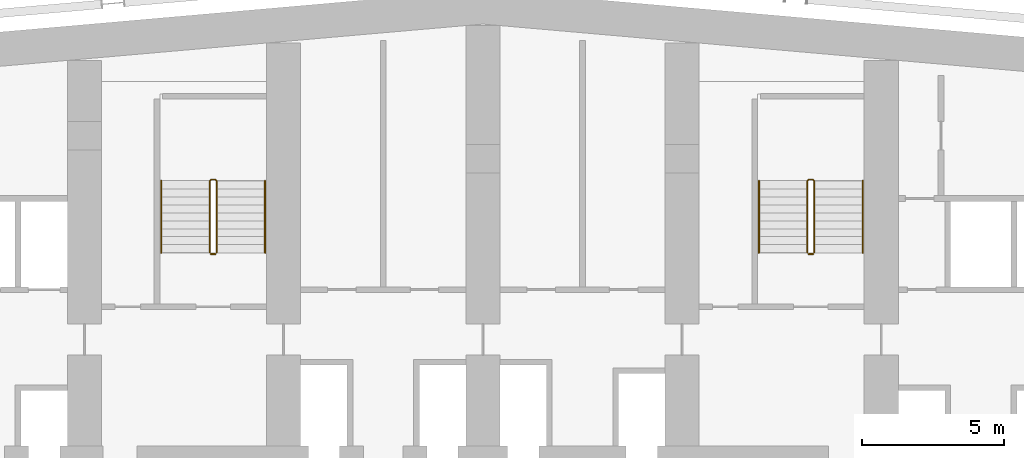
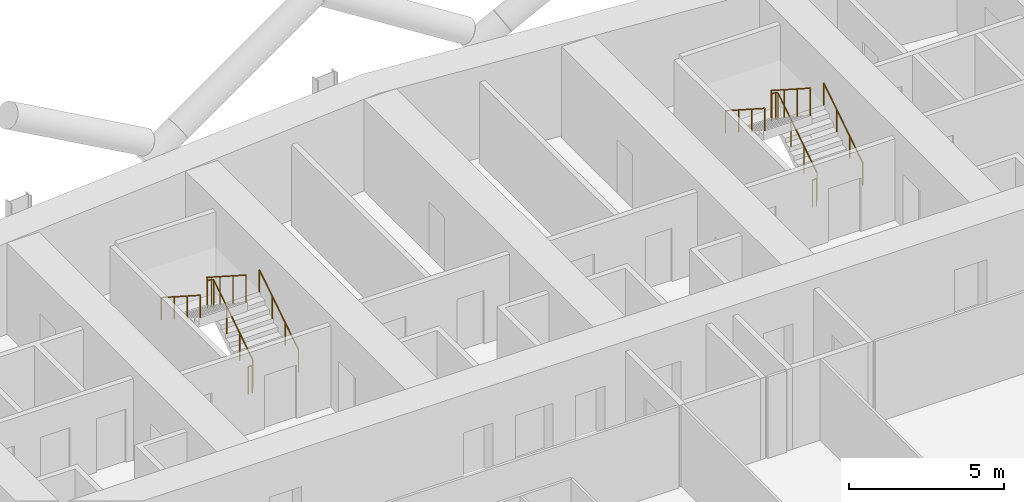
# One storey, part 26 of 27: 8 railings.
"""IFC4 building model written with IfcOpenShell, lengths in metres."""

from ifc_helpers import new_model, si_unit, direction, frame, origin, origin_2d, place, context, subcontext, project, spatial, circle, extrude, material, type_object, element, save


model = new_model("IFC4")

# Units and contexts
model_context = context("Model", 3, precision=1e-05, world=origin(), true_north=direction((0.0, 1.0)))
body_context = subcontext(model_context, "Body", "Model", "MODEL_VIEW")
ifc_project = project(units=[si_unit("LENGTHUNIT", "METRE"), si_unit("AREAUNIT", "SQUARE_METRE"), si_unit("VOLUMEUNIT", "CUBIC_METRE"), si_unit("PLANEANGLEUNIT", "RADIAN"), si_unit("MASSUNIT", "GRAM", prefix="KILO")], contexts=[model_context])

# Site, building, storey
site_placement = place(None, origin())
site = spatial("IfcSite", under=ifc_project, at=site_placement, CompositionType="ELEMENT")
building_placement = place(site_placement, origin())
building = spatial("IfcBuilding", under=site, at=building_placement, Name="Wharfspan Tower", CompositionType="ELEMENT")
storey_placement = place(building_placement, frame((0.0, 0.0, 48.699951)))
storey = spatial("IfcBuildingStorey", under=building, at=storey_placement, Name="L08", CompositionType="ELEMENT", Elevation=48.699951)

# Railings
ifc_material = material(Name="Steel S355J2", Category="steel")
railing_type_1 = type_object("IfcRailingType", Name="Stair guard 1100", PredefinedType="GUARDRAIL", material=ifc_material)
railing_1_placement = place(storey_placement, frame((27.649902, 42.0, 0.179932)))
element("IfcRailing", 1, at=railing_1_placement, inside=storey, type_object=railing_type_1, Name="L08 ST1 stair guard 1", PredefinedType="GUARDRAIL", context=body_context, shape_type="SweptSolid", body=[
    extrude(circle(Radius=0.023926, at=origin_2d()), frame((0.0, 0.0, 1.076172), z_axis=(0.0, 0.841163, 0.540782), x_axis=(-1.0, 0.0, 0.0)), (0.0, 0.0, 1.0), 2.99585),
    extrude(circle(Radius=0.023926, at=origin_2d()), frame((0.0, 2.52002, 2.696289), z_axis=(-0.705376, 0.708834, 0.0), x_axis=(-0.708834, -0.705376, 0.0)), (0.0, 0.0, 1.0), 0.070557),
    extrude(circle(Radius=0.023926, at=origin_2d()), frame((-0.049805, 2.570068, 2.696289), z_axis=(-1.0, 0.0, 0.0), x_axis=(0.0, -1.0, 0.0)), (0.0, 0.0, 1.0), 0.150146),
    extrude(circle(Radius=0.023926, at=origin_2d()), frame((-0.199951, 2.570068, 2.696289), z_axis=(-0.258848, -0.258848, 0.930589), x_axis=(0.707107, -0.707107, 0.0)), (0.0, 0.0, 1.0), 0.193359),
    extrude(circle(Radius=0.023926, at=origin_2d()), frame((-0.25, 2.52002, 2.875977), z_axis=(0.0, -0.841163, 0.540782), x_axis=(1.0, 0.0, 0.0)), (0.0, 0.0, 1.0), 2.99585),
    extrude(circle(Radius=0.020996, at=origin_2d()), origin(), (0.0, 0.0, 1.0), 1.052002),
    extrude(circle(Radius=0.020996, at=origin_2d()), frame((0.0, 0.840088, 0.540039)), (0.0, 0.0, 1.0), 1.052002),
    extrude(circle(Radius=0.020996, at=origin_2d()), frame((0.0, 1.679932, 1.080078)), (0.0, 0.0, 1.0), 1.052002),
    extrude(circle(Radius=0.020996, at=origin_2d()), frame((0.0, 2.52002, 1.620117)), (0.0, 0.0, 1.0), 1.052002),
    extrude(circle(Radius=0.020996, at=origin_2d()), frame((-0.049805, 2.570068, 1.620117)), (0.0, 0.0, 1.0), 1.052002),
    extrude(circle(Radius=0.020996, at=origin_2d()), frame((-0.199951, 2.570068, 1.620117)), (0.0, 0.0, 1.0), 1.052002),
    extrude(circle(Radius=0.020996, at=origin_2d()), frame((-0.25, 2.52002, 1.800049)), (0.0, 0.0, 1.0), 1.052002),
    extrude(circle(Radius=0.020996, at=origin_2d()), frame((-0.25, 1.679932, 2.340088)), (0.0, 0.0, 1.0), 1.052002),
    extrude(circle(Radius=0.020996, at=origin_2d()), frame((-0.25, 0.840088, 2.880127)), (0.0, 0.0, 1.0), 1.052002),
    extrude(circle(Radius=0.020996, at=origin_2d()), frame((-0.25, 0.0, 3.420166)), (0.0, 0.0, 1.0), 1.052002),
])
railing_2_placement = place(storey_placement, frame((27.600098, 41.949951, 0.0)))
element("IfcRailing", 2, at=railing_2_placement, inside=storey, type_object=railing_type_1, Name="L08 ST1 stair guard 2", PredefinedType="GUARDRAIL", context=body_context, shape_type="SweptSolid", body=[
    extrude(circle(Radius=0.023926, at=origin_2d()), frame((0.0, 0.0, 1.076172), z_axis=(-1.0, 0.0, 0.0), x_axis=(0.0, -1.0, 0.0)), (0.0, 0.0, 1.0), 0.150146),
    extrude(circle(Radius=0.020996, at=origin_2d()), origin(), (0.0, 0.0, 1.0), 1.052002),
    extrude(circle(Radius=0.020996, at=origin_2d()), frame((-0.150146, 0.0, 0.0)), (0.0, 0.0, 1.0), 1.052002),
])
railing_3_placement = place(storey_placement, frame((48.649902, 42.0, 0.179932)))
element("IfcRailing", 3, at=railing_3_placement, inside=storey, type_object=railing_type_1, Name="L08 ST2 stair guard 1", PredefinedType="GUARDRAIL", context=body_context, shape_type="SweptSolid", body=[
    extrude(circle(Radius=0.023926, at=origin_2d()), frame((0.0, 0.0, 1.076172), z_axis=(0.0, 0.841163, 0.540782), x_axis=(-1.0, 0.0, 0.0)), (0.0, 0.0, 1.0), 2.99585),
    extrude(circle(Radius=0.023926, at=origin_2d()), frame((0.0, 2.52002, 2.696289), z_axis=(-0.705376, 0.708834, 0.0), x_axis=(-0.708834, -0.705376, 0.0)), (0.0, 0.0, 1.0), 0.070557),
    extrude(circle(Radius=0.023926, at=origin_2d()), frame((-0.049805, 2.570068, 2.696289), z_axis=(-1.0, 0.0, 0.0), x_axis=(0.0, -1.0, 0.0)), (0.0, 0.0, 1.0), 0.150146),
    extrude(circle(Radius=0.023926, at=origin_2d()), frame((-0.199951, 2.570068, 2.696289), z_axis=(-0.258848, -0.258848, 0.930589), x_axis=(0.707107, -0.707107, 0.0)), (0.0, 0.0, 1.0), 0.193359),
    extrude(circle(Radius=0.023926, at=origin_2d()), frame((-0.25, 2.52002, 2.875977), z_axis=(0.0, -0.841163, 0.540782), x_axis=(1.0, 0.0, 0.0)), (0.0, 0.0, 1.0), 2.99585),
    extrude(circle(Radius=0.020996, at=origin_2d()), origin(), (0.0, 0.0, 1.0), 1.052002),
    extrude(circle(Radius=0.020996, at=origin_2d()), frame((0.0, 0.840088, 0.540039)), (0.0, 0.0, 1.0), 1.052002),
    extrude(circle(Radius=0.020996, at=origin_2d()), frame((0.0, 1.679932, 1.080078)), (0.0, 0.0, 1.0), 1.052002),
    extrude(circle(Radius=0.020996, at=origin_2d()), frame((0.0, 2.52002, 1.620117)), (0.0, 0.0, 1.0), 1.052002),
    extrude(circle(Radius=0.020996, at=origin_2d()), frame((-0.049805, 2.570068, 1.620117)), (0.0, 0.0, 1.0), 1.052002),
    extrude(circle(Radius=0.020996, at=origin_2d()), frame((-0.199951, 2.570068, 1.620117)), (0.0, 0.0, 1.0), 1.052002),
    extrude(circle(Radius=0.020996, at=origin_2d()), frame((-0.25, 2.52002, 1.800049)), (0.0, 0.0, 1.0), 1.052002),
    extrude(circle(Radius=0.020996, at=origin_2d()), frame((-0.25, 1.679932, 2.340088)), (0.0, 0.0, 1.0), 1.052002),
    extrude(circle(Radius=0.020996, at=origin_2d()), frame((-0.25, 0.840088, 2.880127)), (0.0, 0.0, 1.0), 1.052002),
    extrude(circle(Radius=0.020996, at=origin_2d()), frame((-0.25, 0.0, 3.420166)), (0.0, 0.0, 1.0), 1.052002),
])
railing_4_placement = place(storey_placement, frame((48.600098, 41.949951, 0.0)))
element("IfcRailing", 4, at=railing_4_placement, inside=storey, type_object=railing_type_1, Name="L08 ST2 stair guard 2", PredefinedType="GUARDRAIL", context=body_context, shape_type="SweptSolid", body=[
    extrude(circle(Radius=0.023926, at=origin_2d()), frame((0.0, 0.0, 1.076172), z_axis=(-1.0, 0.0, 0.0), x_axis=(0.0, -1.0, 0.0)), (0.0, 0.0, 1.0), 0.150146),
    extrude(circle(Radius=0.020996, at=origin_2d()), origin(), (0.0, 0.0, 1.0), 1.052002),
    extrude(circle(Radius=0.020996, at=origin_2d()), frame((-0.150146, 0.0, 0.0)), (0.0, 0.0, 1.0), 1.052002),
])
railing_type_2 = type_object("IfcRailingType", Name="Stair handrail 900", PredefinedType="HANDRAIL", material=ifc_material)
railing_5_placement = place(storey_placement, frame((29.350098, 42.0, 0.179932)))
element("IfcRailing", 5, at=railing_5_placement, inside=storey, type_object=railing_type_2, Name="L08 ST1 stair handrail 1", PredefinedType="HANDRAIL", context=body_context, shape_type="SweptSolid", body=[
    extrude(circle(Radius=0.023926, at=origin_2d()), frame((0.0, 0.0, 0.875977), z_axis=(0.0, 0.841163, 0.540782), x_axis=(-1.0, 0.0, 0.0)), (0.0, 0.0, 1.0), 2.99585),
    extrude(circle(Radius=0.020996, at=origin_2d()), origin(), (0.0, 0.0, 1.0), 0.851807),
    extrude(circle(Radius=0.020996, at=origin_2d()), frame((0.0, 0.840088, 0.540039)), (0.0, 0.0, 1.0), 0.851807),
    extrude(circle(Radius=0.020996, at=origin_2d()), frame((0.0, 1.679932, 1.080078)), (0.0, 0.0, 1.0), 0.851807),
    extrude(circle(Radius=0.020996, at=origin_2d()), frame((0.0, 2.52002, 1.620117)), (0.0, 0.0, 1.0), 0.851807),
])
railing_6_placement = place(storey_placement, frame((25.699951, 44.52002, 1.97998)))
element("IfcRailing", 6, at=railing_6_placement, inside=storey, type_object=railing_type_2, Name="L08 ST1 stair handrail 2", PredefinedType="HANDRAIL", context=body_context, shape_type="SweptSolid", body=[
    extrude(circle(Radius=0.023926, at=origin_2d()), frame((0.0, 0.0, 0.875977), z_axis=(0.0, -0.841163, 0.540782), x_axis=(1.0, 0.0, 0.0)), (0.0, 0.0, 1.0), 2.99585),
    extrude(circle(Radius=0.020996, at=origin_2d()), origin(), (0.0, 0.0, 1.0), 0.851807),
    extrude(circle(Radius=0.020996, at=origin_2d()), frame((0.0, -0.840088, 0.540039)), (0.0, 0.0, 1.0), 0.851807),
    extrude(circle(Radius=0.020996, at=origin_2d()), frame((0.0, -1.679932, 1.080078)), (0.0, 0.0, 1.0), 0.851807),
    extrude(circle(Radius=0.020996, at=origin_2d()), frame((0.0, -2.52002, 1.620117)), (0.0, 0.0, 1.0), 0.851807),
])
railing_7_placement = place(storey_placement, frame((50.350098, 42.0, 0.179932)))
element("IfcRailing", 7, at=railing_7_placement, inside=storey, type_object=railing_type_2, Name="L08 ST2 stair handrail 1", PredefinedType="HANDRAIL", context=body_context, shape_type="SweptSolid", body=[
    extrude(circle(Radius=0.023926, at=origin_2d()), frame((0.0, 0.0, 0.875977), z_axis=(0.0, 0.841163, 0.540782), x_axis=(-1.0, 0.0, 0.0)), (0.0, 0.0, 1.0), 2.99585),
    extrude(circle(Radius=0.020996, at=origin_2d()), origin(), (0.0, 0.0, 1.0), 0.851807),
    extrude(circle(Radius=0.020996, at=origin_2d()), frame((0.0, 0.840088, 0.540039)), (0.0, 0.0, 1.0), 0.851807),
    extrude(circle(Radius=0.020996, at=origin_2d()), frame((0.0, 1.679932, 1.080078)), (0.0, 0.0, 1.0), 0.851807),
    extrude(circle(Radius=0.020996, at=origin_2d()), frame((0.0, 2.52002, 1.620117)), (0.0, 0.0, 1.0), 0.851807),
])
railing_8_placement = place(storey_placement, frame((46.699951, 44.52002, 1.97998)))
element("IfcRailing", 8, at=railing_8_placement, inside=storey, type_object=railing_type_2, Name="L08 ST2 stair handrail 2", PredefinedType="HANDRAIL", context=body_context, shape_type="SweptSolid", body=[
    extrude(circle(Radius=0.023926, at=origin_2d()), frame((0.0, 0.0, 0.875977), z_axis=(0.0, -0.841163, 0.540782), x_axis=(1.0, 0.0, 0.0)), (0.0, 0.0, 1.0), 2.99585),
    extrude(circle(Radius=0.020996, at=origin_2d()), origin(), (0.0, 0.0, 1.0), 0.851807),
    extrude(circle(Radius=0.020996, at=origin_2d()), frame((0.0, -0.840088, 0.540039)), (0.0, 0.0, 1.0), 0.851807),
    extrude(circle(Radius=0.020996, at=origin_2d()), frame((0.0, -1.679932, 1.080078)), (0.0, 0.0, 1.0), 0.851807),
    extrude(circle(Radius=0.020996, at=origin_2d()), frame((0.0, -2.52002, 1.620117)), (0.0, 0.0, 1.0), 0.851807),
])

save(model, "model.ifc")
